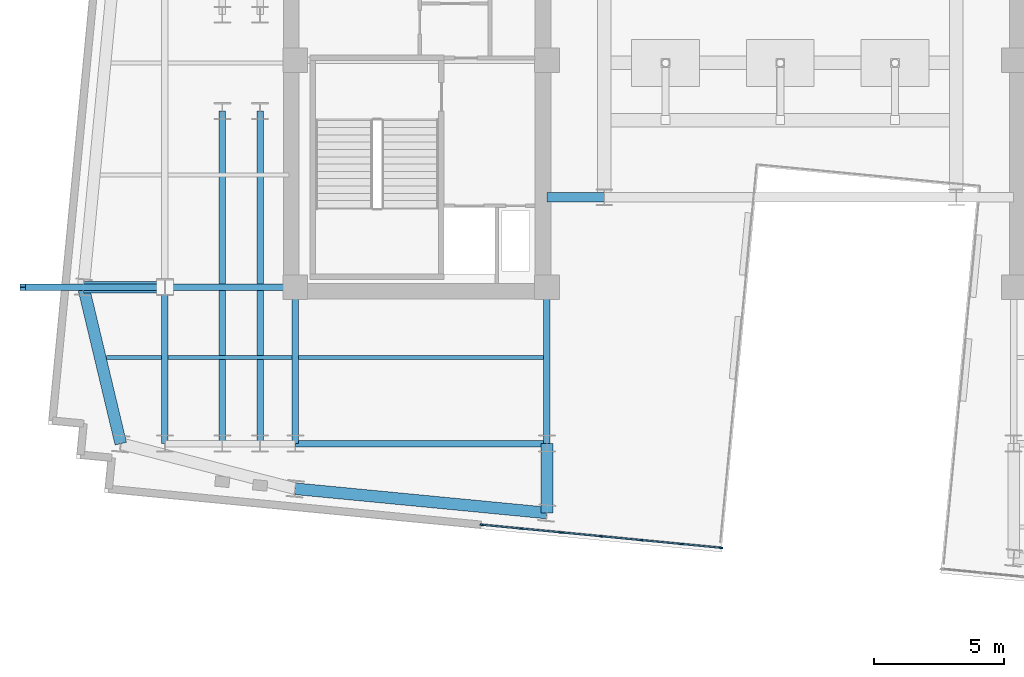
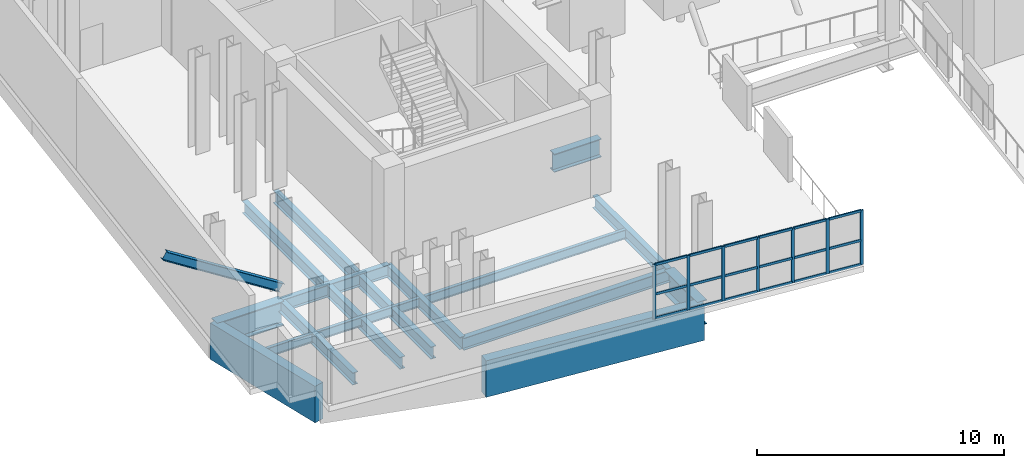
# One storey, part 2 of 16: 26 members, 15 beams, 1 element without a shape of its own.
"""IFC4 building model written with IfcOpenShell, lengths in metres."""

from ifc_helpers import new_model, si_unit, direction, frame, origin, origin_2d, place, context, subcontext, project, spatial, rectangle, i_section, extrude, material, layer, layer_set, material_profile, profile_set, type_object, element, aggregate, save


model = new_model("IFC4")

# Units and contexts
model_context = context("Model", 3, precision=1e-05, world=origin(), true_north=direction((0.0, 1.0)))
body_context = subcontext(model_context, "Body", "Model", "MODEL_VIEW")
ifc_project = project(units=[si_unit("LENGTHUNIT", "METRE"), si_unit("AREAUNIT", "SQUARE_METRE"), si_unit("VOLUMEUNIT", "CUBIC_METRE"), si_unit("PLANEANGLEUNIT", "RADIAN"), si_unit("MASSUNIT", "GRAM", prefix="KILO")], contexts=[model_context])

# Site, building, storey
site_placement = place(None, origin())
site = spatial("IfcSite", under=ifc_project, at=site_placement, CompositionType="ELEMENT")
building_placement = place(site_placement, origin())
building = spatial("IfcBuilding", under=site, at=building_placement, Name="Velakula Bourse", CompositionType="ELEMENT")
storey_placement = place(building_placement, frame((0.0, 0.0, 199.5)))
storey = spatial("IfcBuildingStorey", under=building, at=storey_placement, Name="L54", CompositionType="ELEMENT", Elevation=199.5)

# Beams
ifc_material_1 = material(Name="Steel IS 2062 Grade 350 (E350)", Category="steel")
ifc_material_profile_1 = material_profile(ifc_material_1, i_section(OverallWidth=0.25, OverallDepth=0.60009765625, WebThickness=0.01123046875, FlangeThickness=0.021240234375, at=origin_2d()), Name="Steel IS 2062 Grade 350 (E350)")
ifc_profile_set_1 = profile_set([ifc_material_profile_1], Name="Steel IS 2062 Grade 350 (E350)")
beam_type_1 = type_object("IfcBeamType", Name="BM-GRD-600M", PredefinedType="BEAM", material=ifc_profile_set_1)
for number, where, z_axis, x_axis, name in (
    (1, (-18.60009765625, -14.60009765625, -0.580078125), (0.0, 1.0, 0.0), (-1.0, 0.0, 0.0), "L54 Fulcrum Grid Girder FLC-WS"),
    (2, (-8.949951171875, -14.60009765625, -0.580078125), (0.0, 1.0, 0.0), (-1.0, 0.0, 0.0), "L54 Fulcrum Grid Girder FLC-WCS"),
):
    element("IfcBeam", number, at=place(storey_placement, frame(where, z_axis=z_axis, x_axis=x_axis)), inside=storey, type_object=beam_type_1, Name=name, PredefinedType="BEAM", context=body_context, shape_type="SweptSolid", body=[
        extrude(i_section(OverallWidth=0.25, OverallDepth=0.60009765625, WebThickness=0.01123046875, FlangeThickness=0.021240234375, at=origin_2d()), origin(), (0.0, 0.0, 1.0), 6.0),
    ])
beam_1_placement = place(storey_placement, frame((-18.60009765625, -14.60009765625, -0.580078125), z_axis=(1.0, 0.0, 0.0), x_axis=(0.0, 1.0, 0.0)))
element("IfcBeam", 3, at=beam_1_placement, inside=storey, type_object=beam_type_1, Name="L54 Fulcrum Grid Girder FLC-S1", PredefinedType="BEAM", context=body_context, shape_type="SweptSolid", body=[
    extrude(i_section(OverallWidth=0.25, OverallDepth=0.60009765625, WebThickness=0.01123046875, FlangeThickness=0.021240234375, at=origin_2d()), origin(), (0.0, 0.0, 1.0), 9.650146484375),
])
for number, where, z_axis, x_axis, name in (
    (4, (-21.39990234375, -14.60009765625, -0.580078125), (0.0, 1.0, 0.0), (-1.0, 0.0, 0.0), "L54 Fulcrum Grid Girder FLC-PSW1"),
    (5, (-19.949951171875, -14.60009765625, -0.580078125), (0.0, 1.0, 0.0), (-1.0, 0.0, 0.0), "L54 Fulcrum Grid Girder FLC-PSW2"),
):
    element("IfcBeam", number, at=place(storey_placement, frame(where, z_axis=z_axis, x_axis=x_axis)), inside=storey, type_object=beam_type_1, Name=name, PredefinedType="BEAM", context=body_context, shape_type="SweptSolid", body=[
        extrude(i_section(OverallWidth=0.25, OverallDepth=0.60009765625, WebThickness=0.01123046875, FlangeThickness=0.021240234375, at=origin_2d()), origin(), (0.0, 0.0, 1.0), 12.75),
    ])
beam_2_placement = place(storey_placement, frame((-23.60009765625, -8.60009765625, -0.580078125), z_axis=(1.0, 0.0, 0.0), x_axis=(0.0, 1.0, 0.0)))
element("IfcBeam", 6, at=beam_2_placement, inside=storey, type_object=beam_type_1, Name="L54 Fulcrum Grid Girder MWG-WS2", PredefinedType="BEAM", context=body_context, shape_type="SweptSolid", body=[
    extrude(i_section(OverallWidth=0.25, OverallDepth=0.60009765625, WebThickness=0.01123046875, FlangeThickness=0.021240234375, at=origin_2d()), origin(), (0.0, 0.0, 1.0), 5.0),
])
beam_3_placement = place(storey_placement, frame((-23.60009765625, -14.60009765625, -0.580078125), z_axis=(0.0, 1.0, 0.0), x_axis=(-1.0, 0.0, 0.0)))
element("IfcBeam", 7, at=beam_3_placement, inside=storey, type_object=beam_type_1, Name="L54 Fulcrum Grid Girder MWG-WNS1", PredefinedType="BEAM", context=body_context, shape_type="SweptSolid", body=[
    extrude(i_section(OverallWidth=0.25, OverallDepth=0.60009765625, WebThickness=0.01123046875, FlangeThickness=0.021240234375, at=origin_2d()), origin(), (0.0, 0.0, 1.0), 6.0),
])
ifc_material_profile_2 = material_profile(ifc_material_1, i_section(OverallWidth=0.35009765625, OverallDepth=0.89990234375, WebThickness=0.02001953125, FlangeThickness=0.031982421875, at=origin_2d()), Name="Steel IS 2062 Grade 350 (E350)")
ifc_profile_set_2 = profile_set([ifc_material_profile_2], Name="Steel IS 2062 Grade 350 (E350)")
beam_type_2 = type_object("IfcBeamType", Name="BM-LNK-900", PredefinedType="BEAM", material=ifc_profile_set_2)
beam_4_placement = place(storey_placement, frame((-8.949951171875, -5.14990234375, -0.72998046875), z_axis=(1.0, 0.0, 0.0), x_axis=(0.0, 1.0, 0.0)))
element("IfcBeam", 8, at=beam_4_placement, inside=storey, type_object=beam_type_2, Name="L54 Primary Backbone Girder LNK-S1", PredefinedType="BEAM", context=body_context, shape_type="SweptSolid", body=[
    extrude(i_section(OverallWidth=0.35009765625, OverallDepth=0.89990234375, WebThickness=0.02001953125, FlangeThickness=0.031982421875, at=origin_2d()), origin(), (0.0, 0.0, 1.0), 2.199951171875),
])

# Member
ifc_material_profile_3 = material_profile(ifc_material_1, i_section(OverallWidth=0.25, OverallDepth=0.39990234375, WebThickness=0.010498046875, FlangeThickness=0.0126953125, at=origin_2d()), Name="Steel IS 2062 Grade 350 (E350)")
ifc_profile_set_3 = profile_set([ifc_material_profile_3], Name="Steel IS 2062 Grade 350 (E350)")
member_type_1 = type_object("IfcMemberType", Name="BR-TRF-400", PredefinedType="BRACE", material=ifc_profile_set_3)
member_1_placement = place(storey_placement, frame((-23.60009765625, -8.60009765625, 0.300048828125), z_axis=(-0.843533874994, 0.0, 0.537075973897), x_axis=(0.0, -1.0, 0.0)))
element("IfcMember", 9, at=member_1_placement, inside=storey, type_object=member_type_1, Name="L54 Inclined Cantilever Transfer Raking Strut W2", PredefinedType="BRACE", context=body_context, shape_type="SweptSolid", body=[
    extrude(i_section(OverallWidth=0.25, OverallDepth=0.39990234375, WebThickness=0.010498046875, FlangeThickness=0.0126953125, at=origin_2d()), origin(), (0.0, 0.0, 1.0), 6.4609375),
])

# Beams
ifc_material_profile_4 = material_profile(ifc_material_1, i_section(OverallWidth=0.14990234375, OverallDepth=0.449951171875, WebThickness=0.009521484375, FlangeThickness=0.017333984375, at=origin_2d()), Name="Steel IS 2062 Grade 350 (E350)")
ifc_profile_set_4 = profile_set([ifc_material_profile_4], Name="Steel IS 2062 Grade 350 (E350)")
beam_type_3 = type_object("IfcBeamType", Name="JST-TWR-450", PredefinedType="JOIST", material=ifc_profile_set_4)
beam_5_placement = place(storey_placement, frame((-25.848876953125, -11.300048828125, -0.5048828125), z_axis=(1.0, 0.0, 0.0), x_axis=(0.0, 1.0, 0.0)))
element("IfcBeam", 10, at=beam_5_placement, inside=storey, type_object=beam_type_3, Name="L54 Trading Floor Composite Joist 03", PredefinedType="JOIST", context=body_context, shape_type="SweptSolid", body=[
    extrude(i_section(OverallWidth=0.14990234375, OverallDepth=0.449951171875, WebThickness=0.009521484375, FlangeThickness=0.017333984375, at=origin_2d()), origin(), (0.0, 0.0, 1.0), 2.123779296875),
])
beam_6_placement = place(storey_placement, frame((-23.47509765625, -11.300048828125, -0.5048828125), z_axis=(1.0, 0.0, 0.0), x_axis=(0.0, 1.0, 0.0)))
element("IfcBeam", 11, at=beam_6_placement, inside=storey, type_object=beam_type_3, Name="L54 Trading Floor Composite Joist 04", PredefinedType="JOIST", context=body_context, shape_type="SweptSolid", body=[
    extrude(i_section(OverallWidth=0.14990234375, OverallDepth=0.449951171875, WebThickness=0.009521484375, FlangeThickness=0.017333984375, at=origin_2d()), origin(), (0.0, 0.0, 1.0), 4.75),
])
beam_7_placement = place(storey_placement, frame((-18.47509765625, -11.300048828125, -0.5048828125), z_axis=(1.0, 0.0, 0.0), x_axis=(0.0, 1.0, 0.0)))
element("IfcBeam", 12, at=beam_7_placement, inside=storey, type_object=beam_type_3, Name="L54 Trading Floor Composite Joist 05", PredefinedType="JOIST", context=body_context, shape_type="SweptSolid", body=[
    extrude(i_section(OverallWidth=0.14990234375, OverallDepth=0.449951171875, WebThickness=0.009521484375, FlangeThickness=0.017333984375, at=origin_2d()), origin(), (0.0, 0.0, 1.0), 9.400146484375),
])

# Curtain wall, members
ifc_material_2 = material(Name="Anodised bronze architectural aluminium", Category="aluminium")
ifc_layer = layer(ifc_material_2, 0.139892578125, Name="Anodised bronze architectural aluminium", Category="aluminium")
ifc_layer_set = layer_set([ifc_layer], Name="Anodised bronze architectural aluminium")
curtain_wall_type = type_object("IfcCurtainWallType", Name="CW-TS1", PredefinedType="NOTDEFINED", material=ifc_layer_set)
curtain_wall_placement = place(storey_placement, origin())
curtain_wall = element("IfcCurtainWall", 13, at=curtain_wall_placement, inside=storey, type_object=curtain_wall_type, Name="L54 Venturi Observation Curtain Wall S-B2", PredefinedType="NOTDEFINED")
ifc_material_profile_5 = material_profile(ifc_material_2, rectangle(XDim=0.06005859375, YDim=0.139892578125, at=origin_2d()), Name="Anodised bronze architectural aluminium")
ifc_profile_set_5 = profile_set([ifc_material_profile_5], Name="Anodised bronze architectural aluminium")
member_type_2 = type_object("IfcMemberType", Name="MUL-CW-TS1", PredefinedType="MULLION", material=ifc_profile_set_5)
member_2_placement = place(storey_placement, frame((-2.274658203125, -18.59375, 0.0), z_axis=(0.0, 0.0, 1.0), x_axis=(-0.095849023567, -0.995395883396, 0.0)))
member_2 = element("IfcMember", 14, at=member_2_placement, type_object=member_type_2, Name="CW-TS1 mullion 1", PredefinedType="MULLION", context=body_context, shape_type="SweptSolid", body=[
    extrude(rectangle(XDim=0.06005859375, YDim=0.139892578125, at=origin_2d()), origin(), (0.0, 0.0, 1.0), 2.695068359375),
])
member_3_placement = place(storey_placement, frame((-3.783447265625, -18.448486328125, 0.0), z_axis=(0.0, 0.0, 1.0), x_axis=(-0.095849023567, -0.995395883396, 0.0)))
member_3 = element("IfcMember", 15, at=member_3_placement, type_object=member_type_2, Name="CW-TS1 mullion 2", PredefinedType="MULLION", context=body_context, shape_type="SweptSolid", body=[
    extrude(rectangle(XDim=0.06005859375, YDim=0.139892578125, at=origin_2d()), origin(), (0.0, 0.0, 1.0), 2.695068359375),
])
member_4_placement = place(storey_placement, frame((-5.322265625, -18.30029296875, 0.0), z_axis=(0.0, 0.0, 1.0), x_axis=(-0.095849023567, -0.995395883396, 0.0)))
member_4 = element("IfcMember", 16, at=member_4_placement, type_object=member_type_2, Name="CW-TS1 mullion 3", PredefinedType="MULLION", context=body_context, shape_type="SweptSolid", body=[
    extrude(rectangle(XDim=0.06005859375, YDim=0.139892578125, at=origin_2d()), origin(), (0.0, 0.0, 1.0), 2.695068359375),
])
member_5_placement = place(storey_placement, frame((-6.86083984375, -18.152099609375, 0.0), z_axis=(0.0, 0.0, 1.0), x_axis=(-0.095849023567, -0.995395883396, 0.0)))
member_5 = element("IfcMember", 17, at=member_5_placement, type_object=member_type_2, Name="CW-TS1 mullion 4", PredefinedType="MULLION", context=body_context, shape_type="SweptSolid", body=[
    extrude(rectangle(XDim=0.06005859375, YDim=0.139892578125, at=origin_2d()), origin(), (0.0, 0.0, 1.0), 2.695068359375),
])
member_6_placement = place(storey_placement, frame((-8.399658203125, -18.004150390625, 0.0), z_axis=(0.0, 0.0, 1.0), x_axis=(-0.095849023567, -0.995395883396, 0.0)))
member_6 = element("IfcMember", 18, at=member_6_placement, type_object=member_type_2, Name="CW-TS1 mullion 5", PredefinedType="MULLION", context=body_context, shape_type="SweptSolid", body=[
    extrude(rectangle(XDim=0.06005859375, YDim=0.139892578125, at=origin_2d()), origin(), (0.0, 0.0, 1.0), 2.695068359375),
])
member_7_placement = place(storey_placement, frame((-9.9384765625, -17.85595703125, 0.0), z_axis=(0.0, 0.0, 1.0), x_axis=(-0.095849023567, -0.995395883396, 0.0)))
member_7 = element("IfcMember", 19, at=member_7_placement, type_object=member_type_2, Name="CW-TS1 mullion 6", PredefinedType="MULLION", context=body_context, shape_type="SweptSolid", body=[
    extrude(rectangle(XDim=0.06005859375, YDim=0.139892578125, at=origin_2d()), origin(), (0.0, 0.0, 1.0), 2.695068359375),
])
member_8_placement = place(storey_placement, frame((-11.447265625, -17.710693359375, 0.0), z_axis=(0.0, 0.0, 1.0), x_axis=(-0.095849023567, -0.995395883396, 0.0)))
member_8 = element("IfcMember", 20, at=member_8_placement, type_object=member_type_2, Name="CW-TS1 mullion 7", PredefinedType="MULLION", context=body_context, shape_type="SweptSolid", body=[
    extrude(rectangle(XDim=0.06005859375, YDim=0.139892578125, at=origin_2d()), origin(), (0.0, 0.0, 1.0), 2.695068359375),
])

# Beams
ifc_material_3 = material(Name="Concrete M50 (fck 50 MPa)", Category="concrete")
ifc_material_profile_6 = material_profile(ifc_material_3, rectangle(XDim=0.449951171875, YDim=1.800048828125, at=origin_2d()), Name="Concrete M50 (fck 50 MPa)")
ifc_profile_set_6 = profile_set([ifc_material_profile_6], Name="Concrete M50 (fck 50 MPa)")
beam_type_4 = type_object("IfcBeamType", Name="SPN-TRF-1800", PredefinedType="SPANDREL", material=ifc_profile_set_6)
beam_8_placement = place(storey_placement, frame((-18.60009765625, -16.32861328125, -1.179931640625), z_axis=(0.99539623971, -0.095845323155, 0.0), x_axis=(0.095845323155, 0.99539623971, 0.0)))
element("IfcBeam", 21, at=beam_8_placement, inside=storey, type_object=beam_type_4, Name="L54 Brick-Faced Precast Spandrel S1-S2", PredefinedType="SPANDREL", context=body_context, shape_type="SweptSolid", body=[
    extrude(rectangle(XDim=0.449951171875, YDim=1.800048828125, at=origin_2d()), origin(), (0.0, 0.0, 1.0), 9.69482421875),
])
beam_9_placement = place(storey_placement, frame((-25.29296875, -14.60009765625, -1.179931640625), z_axis=(-0.232053924044, 0.97270292296, 0.0), x_axis=(-0.97270292296, -0.232053924044, 0.0)))
element("IfcBeam", 22, at=beam_9_placement, inside=storey, type_object=beam_type_4, Name="L54 Brick-Faced Precast Spandrel W1-W2", PredefinedType="SPANDREL", context=body_context, shape_type="SweptSolid", body=[
    extrude(rectangle(XDim=0.449951171875, YDim=1.800048828125, at=origin_2d()), origin(), (0.0, 0.0, 1.0), 6.16845703125),
])
ifc_material_4 = material(Name="Steel IS 2062 Grade 450 (E450)", Category="steel")
ifc_material_profile_7 = material_profile(ifc_material_4, i_section(OverallWidth=0.449951171875, OverallDepth=1.199951171875, WebThickness=0.02587890625, FlangeThickness=0.0400390625, at=origin_2d()), Name="Steel IS 2062 Grade 450 (E450)")
ifc_profile_set_7 = profile_set([ifc_material_profile_7], Name="Steel IS 2062 Grade 450 (E450)")
beam_type_5 = type_object("IfcBeamType", Name="TB-CANT-1200", PredefinedType="BEAM", material=ifc_profile_set_7)
beam_10_placement = place(storey_placement, frame((-8.949951171875, -14.60009765625, -0.8798828125), z_axis=(0.0, -1.0, 0.0), x_axis=(1.0, 0.0, 0.0)))
element("IfcBeam", 23, at=beam_10_placement, inside=storey, type_object=beam_type_5, Name="L54 Perimeter Tie Girder S2", PredefinedType="BEAM", context=body_context, shape_type="SweptSolid", body=[
    extrude(i_section(OverallWidth=0.449951171875, OverallDepth=1.199951171875, WebThickness=0.02587890625, FlangeThickness=0.0400390625, at=origin_2d()), origin(), (0.0, 0.0, 1.0), 2.65771484375),
])
beam_11_placement = place(storey_placement, frame((-23.60009765625, -8.60009765625, -0.8798828125), z_axis=(-1.0, 0.0, 0.0), x_axis=(0.0, -1.0, 0.0)))
element("IfcBeam", 24, at=beam_11_placement, inside=storey, type_object=beam_type_5, Name="L54 Perimeter Tie Girder W2", PredefinedType="BEAM", context=body_context, shape_type="SweptSolid", body=[
    extrude(i_section(OverallWidth=0.449951171875, OverallDepth=1.199951171875, WebThickness=0.02587890625, FlangeThickness=0.0400390625, at=origin_2d()), origin(), (0.0, 0.0, 1.0), 3.124267578125),
])

# Member
ifc_material_profile_8 = material_profile(ifc_material_2, rectangle(XDim=0.06005859375, YDim=0.1201171875, at=origin_2d()), Name="Anodised bronze architectural aluminium")
ifc_profile_set_8 = profile_set([ifc_material_profile_8], Name="Anodised bronze architectural aluminium")
member_type_3 = type_object("IfcMemberType", Name="TRN-CW-TS1", PredefinedType="USERDEFINED", material=ifc_profile_set_8)
member_9_placement = place(storey_placement, frame((-2.304443359375, -18.591064453125, 0.030029296875), z_axis=(-0.995389345287, 0.095916897828, 0.0), x_axis=(-0.095916897828, -0.995389345287, 0.0)))
member_9 = element("IfcMember", 25, at=member_9_placement, type_object=member_type_3, Name="CW-TS1 transom 1.1", ObjectType="TRANSOM", PredefinedType="USERDEFINED", context=body_context, shape_type="SweptSolid", body=[
    extrude(rectangle(XDim=0.06005859375, YDim=0.1201171875, at=origin_2d()), origin(), (0.0, 0.0, 1.0), 1.455810546875),
])

member_10_placement = place(storey_placement, frame((-2.304443359375, -18.591064453125, 1.212646484375), z_axis=(-0.995389345287, 0.095916897828, 0.0), x_axis=(-0.095916897828, -0.995389345287, 0.0)))
member_10 = element("IfcMember", 26, at=member_10_placement, type_object=member_type_3, Name="CW-TS1 transom 1.2", ObjectType="TRANSOM", PredefinedType="USERDEFINED", context=body_context, shape_type="SweptSolid", body=[
    extrude(rectangle(XDim=0.06005859375, YDim=0.1201171875, at=origin_2d()), origin(), (0.0, 0.0, 1.0), 1.455810546875),
])

member_11_placement = place(storey_placement, frame((-2.304443359375, -18.591064453125, 2.6650390625), z_axis=(-0.995389345287, 0.095916897828, 0.0), x_axis=(-0.095916897828, -0.995389345287, 0.0)))
member_11 = element("IfcMember", 27, at=member_11_placement, type_object=member_type_3, Name="CW-TS1 transom 1.3", ObjectType="TRANSOM", PredefinedType="USERDEFINED", context=body_context, shape_type="SweptSolid", body=[
    extrude(rectangle(XDim=0.06005859375, YDim=0.1201171875, at=origin_2d()), origin(), (0.0, 0.0, 1.0), 1.455810546875),
])

member_12_placement = place(storey_placement, frame((-3.8134765625, -18.445556640625, 0.030029296875), z_axis=(-0.995401198531, 0.095793809631, 0.0), x_axis=(-0.095793809631, -0.995401198531, 0.0)))
member_12 = element("IfcMember", 28, at=member_12_placement, type_object=member_type_3, Name="CW-TS1 transom 2.1", ObjectType="TRANSOM", PredefinedType="USERDEFINED", context=body_context, shape_type="SweptSolid", body=[
    extrude(rectangle(XDim=0.06005859375, YDim=0.1201171875, at=origin_2d()), origin(), (0.0, 0.0, 1.0), 1.48583984375),
])

member_13_placement = place(storey_placement, frame((-3.8134765625, -18.445556640625, 1.212646484375), z_axis=(-0.995401198531, 0.095793809631, 0.0), x_axis=(-0.095793809631, -0.995401198531, 0.0)))
member_13 = element("IfcMember", 29, at=member_13_placement, type_object=member_type_3, Name="CW-TS1 transom 2.2", ObjectType="TRANSOM", PredefinedType="USERDEFINED", context=body_context, shape_type="SweptSolid", body=[
    extrude(rectangle(XDim=0.06005859375, YDim=0.1201171875, at=origin_2d()), origin(), (0.0, 0.0, 1.0), 1.48583984375),
])

member_14_placement = place(storey_placement, frame((-3.8134765625, -18.445556640625, 2.6650390625), z_axis=(-0.995401198531, 0.095793809631, 0.0), x_axis=(-0.095793809631, -0.995401198531, 0.0)))
member_14 = element("IfcMember", 30, at=member_14_placement, type_object=member_type_3, Name="CW-TS1 transom 2.3", ObjectType="TRANSOM", PredefinedType="USERDEFINED", context=body_context, shape_type="SweptSolid", body=[
    extrude(rectangle(XDim=0.06005859375, YDim=0.1201171875, at=origin_2d()), origin(), (0.0, 0.0, 1.0), 1.48583984375),
])

member_15_placement = place(storey_placement, frame((-5.35205078125, -18.297607421875, 0.030029296875), z_axis=(-0.995385517791, 0.095956609837, 0.0), x_axis=(-0.095956609837, -0.995385517791, 0.0)))
member_15 = element("IfcMember", 31, at=member_15_placement, type_object=member_type_3, Name="CW-TS1 transom 3.1", ObjectType="TRANSOM", PredefinedType="USERDEFINED", context=body_context, shape_type="SweptSolid", body=[
    extrude(rectangle(XDim=0.06005859375, YDim=0.1201171875, at=origin_2d()), origin(), (0.0, 0.0, 1.0), 1.48583984375),
])

member_16_placement = place(storey_placement, frame((-5.35205078125, -18.297607421875, 1.212646484375), z_axis=(-0.995385517791, 0.095956609837, 0.0), x_axis=(-0.095956609837, -0.995385517791, 0.0)))
member_16 = element("IfcMember", 32, at=member_16_placement, type_object=member_type_3, Name="CW-TS1 transom 3.2", ObjectType="TRANSOM", PredefinedType="USERDEFINED", context=body_context, shape_type="SweptSolid", body=[
    extrude(rectangle(XDim=0.06005859375, YDim=0.1201171875, at=origin_2d()), origin(), (0.0, 0.0, 1.0), 1.48583984375),
])

member_17_placement = place(storey_placement, frame((-5.35205078125, -18.297607421875, 2.6650390625), z_axis=(-0.995385517791, 0.095956609837, 0.0), x_axis=(-0.095956609837, -0.995385517791, 0.0)))
member_17 = element("IfcMember", 33, at=member_17_placement, type_object=member_type_3, Name="CW-TS1 transom 3.3", ObjectType="TRANSOM", PredefinedType="USERDEFINED", context=body_context, shape_type="SweptSolid", body=[
    extrude(rectangle(XDim=0.06005859375, YDim=0.1201171875, at=origin_2d()), origin(), (0.0, 0.0, 1.0), 1.48583984375),
])

member_18_placement = place(storey_placement, frame((-6.890869140625, -18.1494140625, 0.030029296875), z_axis=(-0.995385517791, 0.095956609837, 0.0), x_axis=(-0.095956609837, -0.995385517791, 0.0)))
member_18 = element("IfcMember", 34, at=member_18_placement, type_object=member_type_3, Name="CW-TS1 transom 4.1", ObjectType="TRANSOM", PredefinedType="USERDEFINED", context=body_context, shape_type="SweptSolid", body=[
    extrude(rectangle(XDim=0.06005859375, YDim=0.1201171875, at=origin_2d()), origin(), (0.0, 0.0, 1.0), 1.48583984375),
])

member_19_placement = place(storey_placement, frame((-6.890869140625, -18.1494140625, 1.212646484375), z_axis=(-0.995385517791, 0.095956609837, 0.0), x_axis=(-0.095956609837, -0.995385517791, 0.0)))
member_19 = element("IfcMember", 35, at=member_19_placement, type_object=member_type_3, Name="CW-TS1 transom 4.2", ObjectType="TRANSOM", PredefinedType="USERDEFINED", context=body_context, shape_type="SweptSolid", body=[
    extrude(rectangle(XDim=0.06005859375, YDim=0.1201171875, at=origin_2d()), origin(), (0.0, 0.0, 1.0), 1.48583984375),
])

member_20_placement = place(storey_placement, frame((-6.890869140625, -18.1494140625, 2.6650390625), z_axis=(-0.995385517791, 0.095956609837, 0.0), x_axis=(-0.095956609837, -0.995385517791, 0.0)))
member_20 = element("IfcMember", 36, at=member_20_placement, type_object=member_type_3, Name="CW-TS1 transom 4.3", ObjectType="TRANSOM", PredefinedType="USERDEFINED", context=body_context, shape_type="SweptSolid", body=[
    extrude(rectangle(XDim=0.06005859375, YDim=0.1201171875, at=origin_2d()), origin(), (0.0, 0.0, 1.0), 1.48583984375),
])

member_21_placement = place(storey_placement, frame((-8.429443359375, -18.001220703125, 0.030029296875), z_axis=(-0.995385517791, 0.095956609837, 0.0), x_axis=(-0.095956609837, -0.995385517791, 0.0)))
member_21 = element("IfcMember", 37, at=member_21_placement, type_object=member_type_3, Name="CW-TS1 transom 5.1", ObjectType="TRANSOM", PredefinedType="USERDEFINED", context=body_context, shape_type="SweptSolid", body=[
    extrude(rectangle(XDim=0.06005859375, YDim=0.1201171875, at=origin_2d()), origin(), (0.0, 0.0, 1.0), 1.48583984375),
])

member_22_placement = place(storey_placement, frame((-8.429443359375, -18.001220703125, 1.212646484375), z_axis=(-0.995385517791, 0.095956609837, 0.0), x_axis=(-0.095956609837, -0.995385517791, 0.0)))
member_22 = element("IfcMember", 38, at=member_22_placement, type_object=member_type_3, Name="CW-TS1 transom 5.2", ObjectType="TRANSOM", PredefinedType="USERDEFINED", context=body_context, shape_type="SweptSolid", body=[
    extrude(rectangle(XDim=0.06005859375, YDim=0.1201171875, at=origin_2d()), origin(), (0.0, 0.0, 1.0), 1.48583984375),
])

member_23_placement = place(storey_placement, frame((-8.429443359375, -18.001220703125, 2.6650390625), z_axis=(-0.995385517791, 0.095956609837, 0.0), x_axis=(-0.095956609837, -0.995385517791, 0.0)))
member_23 = element("IfcMember", 39, at=member_23_placement, type_object=member_type_3, Name="CW-TS1 transom 5.3", ObjectType="TRANSOM", PredefinedType="USERDEFINED", context=body_context, shape_type="SweptSolid", body=[
    extrude(rectangle(XDim=0.06005859375, YDim=0.1201171875, at=origin_2d()), origin(), (0.0, 0.0, 1.0), 1.48583984375),
])

member_24_placement = place(storey_placement, frame((-9.96826171875, -17.85302734375, 0.030029296875), z_axis=(-0.995389345287, 0.095916897828, 0.0), x_axis=(-0.095916897828, -0.995389345287, 0.0)))
member_24 = element("IfcMember", 40, at=member_24_placement, type_object=member_type_3, Name="CW-TS1 transom 6.1", ObjectType="TRANSOM", PredefinedType="USERDEFINED", context=body_context, shape_type="SweptSolid", body=[
    extrude(rectangle(XDim=0.06005859375, YDim=0.1201171875, at=origin_2d()), origin(), (0.0, 0.0, 1.0), 1.455810546875),
])

member_25_placement = place(storey_placement, frame((-9.96826171875, -17.85302734375, 1.212646484375), z_axis=(-0.995389345287, 0.095916897828, 0.0), x_axis=(-0.095916897828, -0.995389345287, 0.0)))
member_25 = element("IfcMember", 41, at=member_25_placement, type_object=member_type_3, Name="CW-TS1 transom 6.2", ObjectType="TRANSOM", PredefinedType="USERDEFINED", context=body_context, shape_type="SweptSolid", body=[
    extrude(rectangle(XDim=0.06005859375, YDim=0.1201171875, at=origin_2d()), origin(), (0.0, 0.0, 1.0), 1.455810546875),
])

member_26_placement = place(storey_placement, frame((-9.96826171875, -17.85302734375, 2.6650390625), z_axis=(-0.995389345287, 0.095916897828, 0.0), x_axis=(-0.095916897828, -0.995389345287, 0.0)))
member_26 = element("IfcMember", 42, at=member_26_placement, type_object=member_type_3, Name="CW-TS1 transom 6.3", ObjectType="TRANSOM", PredefinedType="USERDEFINED", context=body_context, shape_type="SweptSolid", body=[
    extrude(rectangle(XDim=0.06005859375, YDim=0.1201171875, at=origin_2d()), origin(), (0.0, 0.0, 1.0), 1.455810546875),
])

aggregate(curtain_wall, [member_2, member_3, member_4, member_5, member_6, member_7, member_8, member_9, member_10, member_11, member_12, member_13, member_14, member_15, member_16, member_17, member_18, member_19, member_20, member_21, member_22, member_23, member_24, member_25, member_26])

save(model, "model.ifc")
